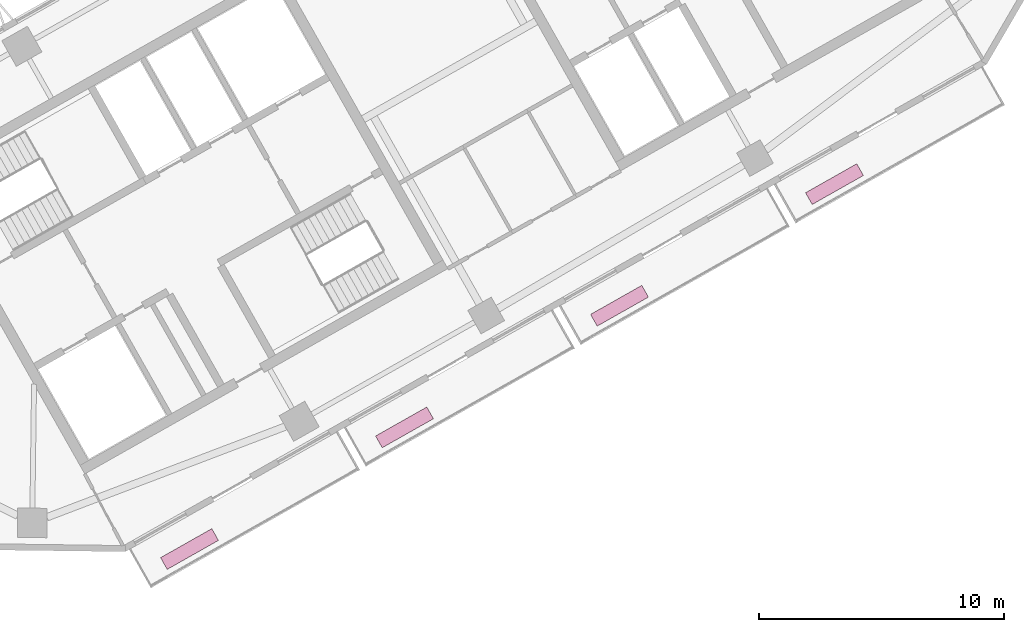
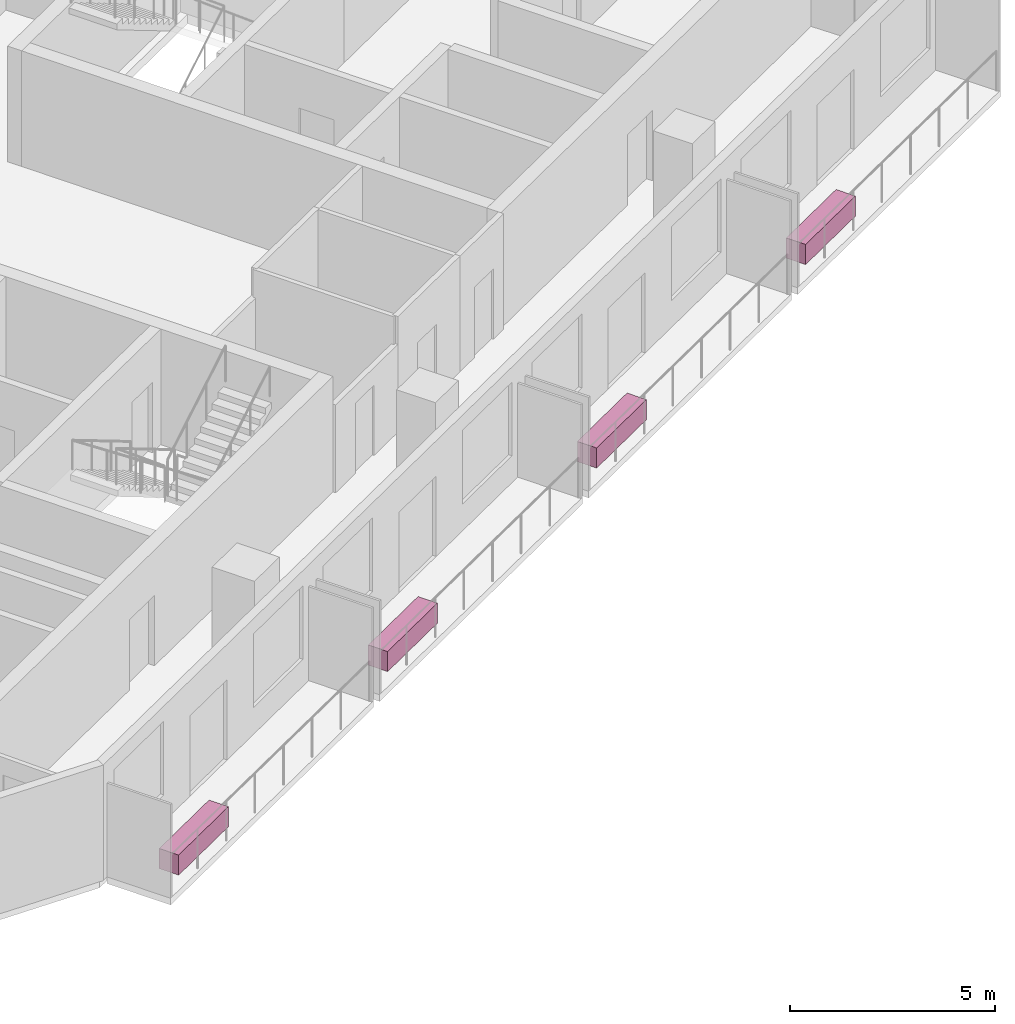
# One storey, part 8 of 8: 4 furnishings.
"""IFC4 building model written with IfcOpenShell, lengths in metres."""

from ifc_helpers import new_model, si_unit, direction, frame, origin, origin_2d, place, context, subcontext, project, spatial, rectangle, extrude, material, type_object, element, save


model = new_model("IFC4")

# Units and contexts
model_context = context("Model", 3, precision=1e-05, world=origin(), true_north=direction((0.0, 1.0)))
body_context = subcontext(model_context, "Body", "Model", "MODEL_VIEW")
ifc_project = project(units=[si_unit("LENGTHUNIT", "METRE"), si_unit("AREAUNIT", "SQUARE_METRE"), si_unit("VOLUMEUNIT", "CUBIC_METRE"), si_unit("PLANEANGLEUNIT", "RADIAN"), si_unit("MASSUNIT", "GRAM", prefix="KILO")], contexts=[model_context])

# Site, building, storey
site_placement = place(None, origin())
site = spatial("IfcSite", under=ifc_project, at=site_placement, CompositionType="ELEMENT")
building_placement = place(site_placement, origin())
building = spatial("IfcBuilding", under=site, at=building_placement, Name="Binnacle Exchange Tower", CompositionType="ELEMENT")
storey_placement = place(building_placement, frame((0.0, 0.0, 308.300048828125)))
storey = spatial("IfcBuildingStorey", under=building, at=storey_placement, Name="L69", CompositionType="ELEMENT", Elevation=308.300048828125)

# Furnishings
ifc_material = material(Name="Concrete C35/45", Category="concrete")
furnishing_element_type = type_object("IfcFurnishingElementType", Name="PLANTER 2400x550x600", material=ifc_material)
for number, where, z_axis, x_axis, name in (
    (1, (-35.44677734375, 26.428466796875, 0.0), (0.0, 0.0, 1.0), (0.87035569594, 0.492423560103, 0.0), "Planter H07-B00a L69"),
    (2, (-26.683837890625, 31.38623046875, 0.0), (0.0, 0.0, 1.0), (0.87035569594, 0.492423560103, 0.0), "Planter H07-B01a L69"),
    (3, (-17.9208984375, 36.34423828125, 0.0), (0.0, 0.0, 1.0), (0.87035569594, 0.492423560103, 0.0), "Planter H07-B02a L69"),
    (4, (-9.158203125, 41.302001953125, 0.0), (0.0, 0.0, 1.0), (0.87035569594, 0.492423560103, 0.0), "Planter H07-B03a L69"),
):
    element("IfcFurnishingElement", number, at=place(storey_placement, frame(where, z_axis=z_axis, x_axis=x_axis)), inside=storey, type_object=furnishing_element_type, Name=name, ObjectType="PLANTER", context=body_context, shape_type="SweptSolid", body=[
        extrude(rectangle(XDim=2.39990234375, YDim=0.550048828125, at=origin_2d()), origin(), (0.0, 0.0, 1.0), 0.60009765625),
    ])

save(model, "model.ifc")
